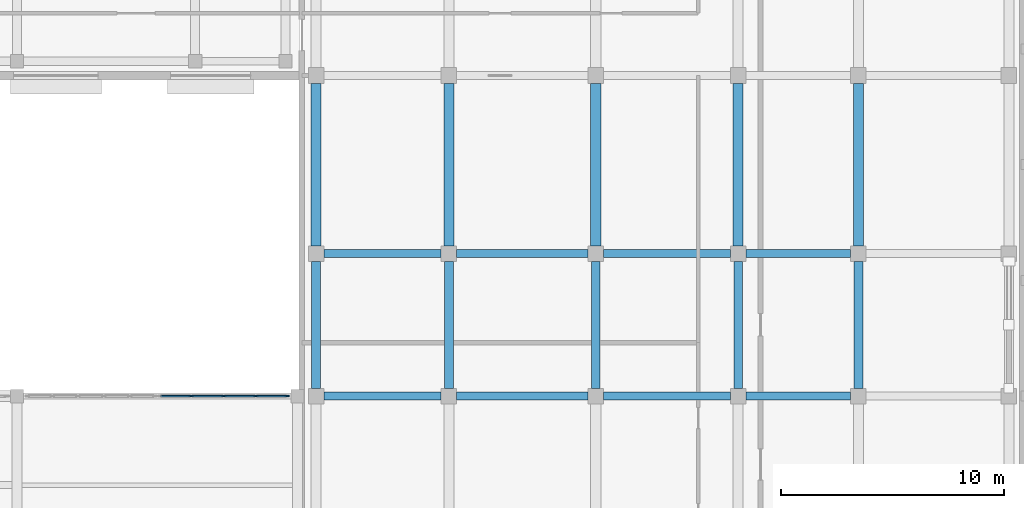
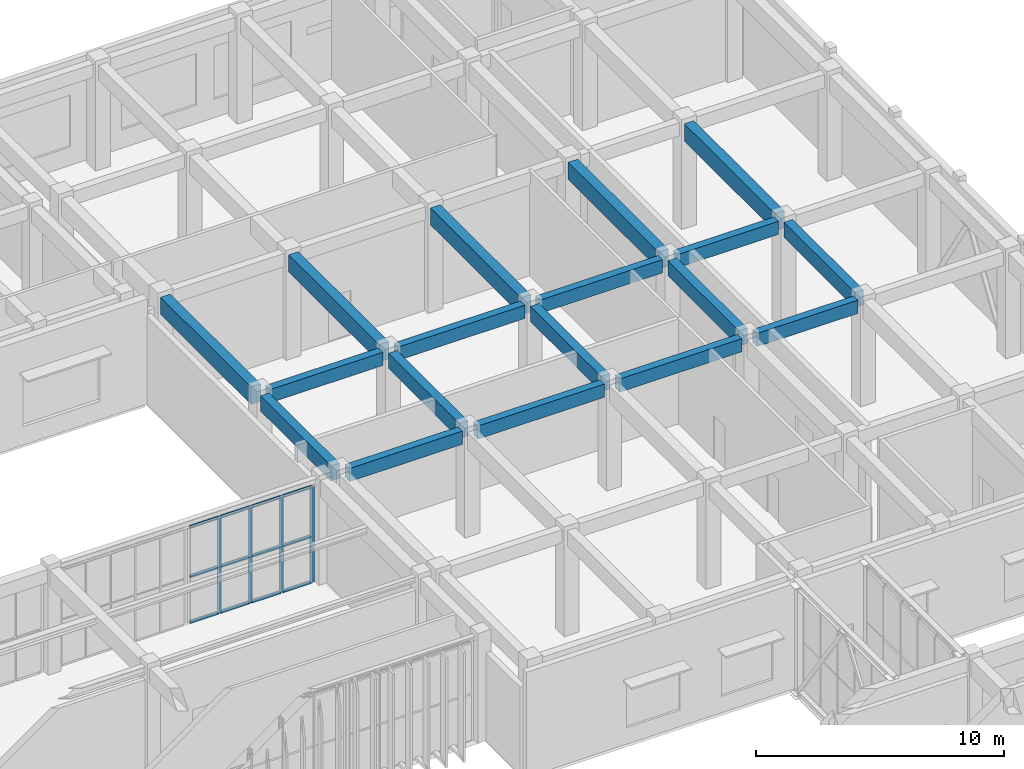
# One storey, part 26 of 64: 18 beams, 16 members, 1 element without a shape of its own.
"""IFC4 building model written with IfcOpenShell, lengths in metres."""

from ifc_helpers import new_model, si_unit, direction, frame, origin, origin_2d, place, context, subcontext, project, spatial, rectangle, extrude, material, layer, layer_set, material_profile, profile_set, type_object, element, aggregate, save


model = new_model("IFC4")

# Units and contexts
model_context = context("Model", 3, precision=1e-05, world=origin(), true_north=direction((0.0, 1.0)))
body_context = subcontext(model_context, "Body", "Model", "MODEL_VIEW")
ifc_project = project(units=[si_unit("LENGTHUNIT", "METRE"), si_unit("AREAUNIT", "SQUARE_METRE"), si_unit("VOLUMEUNIT", "CUBIC_METRE"), si_unit("PLANEANGLEUNIT", "RADIAN"), si_unit("MASSUNIT", "GRAM", prefix="KILO")], contexts=[model_context])

# Site, building, storey
site_placement = place(None, origin())
site = spatial("IfcSite", under=ifc_project, at=site_placement, CompositionType="ELEMENT")
building_placement = place(site_placement, origin())
building = spatial("IfcBuilding", under=site, at=building_placement, Name="Cinchona Park Media Centre", CompositionType="ELEMENT")
storey_placement = place(building_placement, frame((0.0, 0.0, 10.199951171875)))
storey = spatial("IfcBuildingStorey", under=building, at=storey_placement, Name="L02", CompositionType="ELEMENT", Elevation=10.199951171875)

# Beams
ifc_material_1 = material(Name="Concrete C35/45", Category="concrete")
ifc_material_profile_1 = material_profile(ifc_material_1, rectangle(XDim=0.39990234375, YDim=0.75, at=origin_2d()), Name="RB 400X750")
ifc_profile_set_1 = profile_set([ifc_material_profile_1], Name="Concrete C35/45")
beam_type_1 = type_object("IfcBeamType", Name="BEAM-B01-RB400X750", PredefinedType="BEAM", material=ifc_profile_set_1)
for number, where, z_axis, x_axis, name in (
    (1, (140.239990234375, 87.949951171875, 4.78515625), (0.0, 1.0, 0.0), (-1.0, 0.0, 0.0), "Girder B01 L02"),
    (2, (146.199951171875, 87.949951171875, 4.78515625), (0.0, 1.0, 0.0), (-1.0, 0.0, 0.0), "Girder B01 L02"),
    (3, (152.800048828125, 87.949951171875, 4.78515625), (0.0, 1.0, 0.0), (-1.0, 0.0, 0.0), "Girder B01 L02"),
    (4, (159.199951171875, 87.949951171875, 4.78515625), (0.0, 1.0, 0.0), (-1.0, 0.0, 0.0), "Girder B01 L02"),
    (5, (164.60009765625, 87.949951171875, 4.78515625), (0.0, 1.0, 0.0), (-1.0, 0.0, 0.0), "Girder B01 L02"),
):
    element("IfcBeam", number, at=place(storey_placement, frame(where, z_axis=z_axis, x_axis=x_axis)), inside=storey, type_object=beam_type_1, Name=name, PredefinedType="BEAM", context=body_context, shape_type="SweptSolid", body=[
        extrude(rectangle(XDim=0.39990234375, YDim=0.75, at=origin_2d()), origin(), (0.0, 0.0, 1.0), 5.699951171875),
    ])
ifc_material_2 = material(Name="Concrete C35/45", Category="concrete")
ifc_material_profile_2 = material_profile(ifc_material_2, rectangle(XDim=0.449951171875, YDim=0.85009765625, at=origin_2d()), Name="RB 450X850")
ifc_profile_set_2 = profile_set([ifc_material_profile_2], Name="Concrete C35/45")
beam_type_2 = type_object("IfcBeamType", Name="BEAM-B02-RB450X850", PredefinedType="BEAM", material=ifc_profile_set_2)
for number, where, z_axis, x_axis, name in (
    (6, (140.239990234375, 94.35009765625, 4.735107421875), (0.0, 1.0, 0.0), (-1.0, 0.0, 0.0), "Girder B02 L02"),
    (7, (146.199951171875, 94.35009765625, 4.735107421875), (0.0, 1.0, 0.0), (-1.0, 0.0, 0.0), "Girder B02 L02"),
    (8, (152.800048828125, 94.35009765625, 4.735107421875), (0.0, 1.0, 0.0), (-1.0, 0.0, 0.0), "Girder B02 L02"),
    (9, (159.199951171875, 94.35009765625, 4.735107421875), (0.0, 1.0, 0.0), (-1.0, 0.0, 0.0), "Girder B02 L02"),
    (10, (164.60009765625, 94.35009765625, 4.735107421875), (0.0, 1.0, 0.0), (-1.0, 0.0, 0.0), "Girder B02 L02"),
):
    element("IfcBeam", number, at=place(storey_placement, frame(where, z_axis=z_axis, x_axis=x_axis)), inside=storey, type_object=beam_type_2, Name=name, PredefinedType="BEAM", context=body_context, shape_type="SweptSolid", body=[
        extrude(rectangle(XDim=0.449951171875, YDim=0.85009765625, at=origin_2d()), origin(), (0.0, 0.0, 1.0), 7.2998046875),
    ])
ifc_material_3 = material(Name="Concrete C35/45", Category="concrete")
ifc_material_profile_3 = material_profile(ifc_material_3, rectangle(XDim=0.35009765625, YDim=0.64990234375, at=origin_2d()), Name="RB 350X650")
ifc_profile_set_3 = profile_set([ifc_material_profile_3], Name="Concrete C35/45")
beam_type_3 = type_object("IfcBeamType", Name="BEAM-B04-RB350X650", PredefinedType="BEAM", material=ifc_profile_set_3)
beam_1_placement = place(storey_placement, frame((140.590087890625, 87.60009765625, 4.8349609375), z_axis=(1.0, 0.0, 0.0), x_axis=(0.0, 1.0, 0.0)))
element("IfcBeam", 11, at=beam_1_placement, inside=storey, type_object=beam_type_3, Name="Beam B04 L02", PredefinedType="BEAM", context=body_context, shape_type="SweptSolid", body=[
    extrude(rectangle(XDim=0.35009765625, YDim=0.64990234375, at=origin_2d()), origin(), (0.0, 0.0, 1.0), 5.260009765625),
])
beam_2_placement = place(storey_placement, frame((146.550048828125, 87.60009765625, 4.8349609375), z_axis=(1.0, 0.0, 0.0), x_axis=(0.0, 1.0, 0.0)))
element("IfcBeam", 12, at=beam_2_placement, inside=storey, type_object=beam_type_3, Name="Beam B04 L02", PredefinedType="BEAM", context=body_context, shape_type="SweptSolid", body=[
    extrude(rectangle(XDim=0.35009765625, YDim=0.64990234375, at=origin_2d()), origin(), (0.0, 0.0, 1.0), 5.89990234375),
])
beam_3_placement = place(storey_placement, frame((153.14990234375, 87.60009765625, 4.8349609375), z_axis=(1.0, 0.0, 0.0), x_axis=(0.0, 1.0, 0.0)))
element("IfcBeam", 13, at=beam_3_placement, inside=storey, type_object=beam_type_3, Name="Beam B04 L02", PredefinedType="BEAM", context=body_context, shape_type="SweptSolid", body=[
    extrude(rectangle(XDim=0.35009765625, YDim=0.64990234375, at=origin_2d()), origin(), (0.0, 0.0, 1.0), 5.7001953125),
])
beam_4_placement = place(storey_placement, frame((159.550048828125, 87.60009765625, 4.8349609375), z_axis=(1.0, 0.0, 0.0), x_axis=(0.0, 1.0, 0.0)))
element("IfcBeam", 14, at=beam_4_placement, inside=storey, type_object=beam_type_3, Name="Beam B04 L02", PredefinedType="BEAM", context=body_context, shape_type="SweptSolid", body=[
    extrude(rectangle(XDim=0.35009765625, YDim=0.64990234375, at=origin_2d()), origin(), (0.0, 0.0, 1.0), 4.699951171875),
])
beam_5_placement = place(storey_placement, frame((140.590087890625, 94.0, 4.8349609375), z_axis=(1.0, 0.0, 0.0), x_axis=(0.0, 1.0, 0.0)))
element("IfcBeam", 15, at=beam_5_placement, inside=storey, type_object=beam_type_3, Name="Beam B04 L02", PredefinedType="BEAM", context=body_context, shape_type="SweptSolid", body=[
    extrude(rectangle(XDim=0.35009765625, YDim=0.64990234375, at=origin_2d()), origin(), (0.0, 0.0, 1.0), 5.260009765625),
])
beam_6_placement = place(storey_placement, frame((146.550048828125, 94.0, 4.8349609375), z_axis=(1.0, 0.0, 0.0), x_axis=(0.0, 1.0, 0.0)))
element("IfcBeam", 16, at=beam_6_placement, inside=storey, type_object=beam_type_3, Name="Beam B04 L02", PredefinedType="BEAM", context=body_context, shape_type="SweptSolid", body=[
    extrude(rectangle(XDim=0.35009765625, YDim=0.64990234375, at=origin_2d()), origin(), (0.0, 0.0, 1.0), 5.89990234375),
])
beam_7_placement = place(storey_placement, frame((153.14990234375, 94.0, 4.8349609375), z_axis=(1.0, 0.0, 0.0), x_axis=(0.0, 1.0, 0.0)))
element("IfcBeam", 17, at=beam_7_placement, inside=storey, type_object=beam_type_3, Name="Beam B04 L02", PredefinedType="BEAM", context=body_context, shape_type="SweptSolid", body=[
    extrude(rectangle(XDim=0.35009765625, YDim=0.64990234375, at=origin_2d()), origin(), (0.0, 0.0, 1.0), 5.7001953125),
])
beam_8_placement = place(storey_placement, frame((159.550048828125, 94.0, 4.8349609375), z_axis=(1.0, 0.0, 0.0), x_axis=(0.0, 1.0, 0.0)))
element("IfcBeam", 18, at=beam_8_placement, inside=storey, type_object=beam_type_3, Name="Beam B04 L02", PredefinedType="BEAM", context=body_context, shape_type="SweptSolid", body=[
    extrude(rectangle(XDim=0.35009765625, YDim=0.64990234375, at=origin_2d()), origin(), (0.0, 0.0, 1.0), 4.699951171875),
])

# Curtain wall, members
ifc_material_4 = material(Name="Aluminium Curtain Wall Framing", Category="aluminium")
ifc_layer = layer(ifc_material_4, 0.2099609375)
ifc_layer_set = layer_set([ifc_layer], Name="Aluminium Curtain Wall Framing")
curtain_wall_type = type_object("IfcCurtainWallType", Name="CW-CW03", PredefinedType="USERDEFINED", material=ifc_layer_set)
curtain_wall_placement = place(storey_placement, origin())
curtain_wall = element("IfcCurtainWall", 19, at=curtain_wall_placement, inside=storey, type_object=curtain_wall_type, Name="Curtain Wall CW03 L02", ObjectType="UNITISED CURTAIN WALL", PredefinedType="USERDEFINED")
ifc_material_5 = material(Name="Anodised Aluminium Alloy 6063-T6", Category="aluminium")
ifc_material_profile_4 = material_profile(ifc_material_5, rectangle(XDim=0.070068359375, YDim=0.179931640625, at=origin_2d()), Name="MUL-70X180")
ifc_profile_set_4 = profile_set([ifc_material_profile_4], Name="Anodised Aluminium Alloy 6063-T6")
member_type_1 = type_object("IfcMemberType", Name="MULLION-MUL02", PredefinedType="MULLION", material=ifc_profile_set_4)
member_1_placement = place(storey_placement, frame((134.6298828125, 87.60009765625, 0.050048828125), z_axis=(0.0, 0.0, 1.0), x_axis=(0.0, 1.0, 0.0)))
member_1 = element("IfcMember", 20, at=member_1_placement, type_object=member_type_1, Name="CW03 mullion 2", PredefinedType="MULLION", context=body_context, shape_type="SweptSolid", body=[
    extrude(rectangle(XDim=0.070068359375, YDim=0.179931640625, at=origin_2d()), origin(), (0.0, 0.0, 1.0), 4.7470703125),
])
member_2_placement = place(storey_placement, frame((136.080078125, 87.60009765625, 0.050048828125), z_axis=(0.0, 0.0, 1.0), x_axis=(0.0, 1.0, 0.0)))
member_2 = element("IfcMember", 21, at=member_2_placement, type_object=member_type_1, Name="CW03 mullion 3", PredefinedType="MULLION", context=body_context, shape_type="SweptSolid", body=[
    extrude(rectangle(XDim=0.070068359375, YDim=0.179931640625, at=origin_2d()), origin(), (0.0, 0.0, 1.0), 4.7470703125),
])
member_3_placement = place(storey_placement, frame((137.530029296875, 87.60009765625, 0.050048828125), z_axis=(0.0, 0.0, 1.0), x_axis=(0.0, 1.0, 0.0)))
member_3 = element("IfcMember", 22, at=member_3_placement, type_object=member_type_1, Name="CW03 mullion 4", PredefinedType="MULLION", context=body_context, shape_type="SweptSolid", body=[
    extrude(rectangle(XDim=0.070068359375, YDim=0.179931640625, at=origin_2d()), origin(), (0.0, 0.0, 1.0), 4.7470703125),
])
member_4_placement = place(storey_placement, frame((138.945068359375, 87.60009765625, 0.050048828125), z_axis=(0.0, 0.0, 1.0), x_axis=(0.0, 1.0, 0.0)))
member_4 = element("IfcMember", 23, at=member_4_placement, type_object=member_type_1, Name="CW03 mullion 5", PredefinedType="MULLION", context=body_context, shape_type="SweptSolid", body=[
    extrude(rectangle(XDim=0.070068359375, YDim=0.179931640625, at=origin_2d()), origin(), (0.0, 0.0, 1.0), 4.7470703125),
])
ifc_material_6 = material(Name="Anodised Aluminium Alloy 6063-T6", Category="aluminium")
ifc_material_profile_5 = material_profile(ifc_material_6, rectangle(XDim=0.070068359375, YDim=0.139892578125, at=origin_2d()), Name="TRN-70X140")
ifc_profile_set_5 = profile_set([ifc_material_profile_5], Name="Anodised Aluminium Alloy 6063-T6")
member_type_2 = type_object("IfcMemberType", Name="TRANSOM-TRN02", PredefinedType="USERDEFINED", material=ifc_profile_set_5)
member_5_placement = place(storey_placement, frame((133.25, 87.60009765625, 0.0849609375), z_axis=(1.0, 0.0, 0.0), x_axis=(0.0, 1.0, 0.0)))
member_5 = element("IfcMember", 24, at=member_5_placement, type_object=member_type_2, Name="CW03 transom 1.1", ObjectType="TRANSOM", PredefinedType="USERDEFINED", context=body_context, shape_type="SweptSolid", body=[
    extrude(rectangle(XDim=0.070068359375, YDim=0.139892578125, at=origin_2d()), origin(), (0.0, 0.0, 1.0), 1.344970703125),
])
member_6_placement = place(storey_placement, frame((133.25, 87.60009765625, 2.3291015625), z_axis=(1.0, 0.0, 0.0), x_axis=(0.0, 1.0, 0.0)))
member_6 = element("IfcMember", 25, at=member_6_placement, type_object=member_type_2, Name="CW03 transom 1.2", ObjectType="TRANSOM", PredefinedType="USERDEFINED", context=body_context, shape_type="SweptSolid", body=[
    extrude(rectangle(XDim=0.070068359375, YDim=0.139892578125, at=origin_2d()), origin(), (0.0, 0.0, 1.0), 1.344970703125),
])
member_7_placement = place(storey_placement, frame((133.25, 87.60009765625, 4.761962890625), z_axis=(1.0, 0.0, 0.0), x_axis=(0.0, 1.0, 0.0)))
member_7 = element("IfcMember", 26, at=member_7_placement, type_object=member_type_2, Name="CW03 transom 1.3", ObjectType="TRANSOM", PredefinedType="USERDEFINED", context=body_context, shape_type="SweptSolid", body=[
    extrude(rectangle(XDim=0.070068359375, YDim=0.139892578125, at=origin_2d()), origin(), (0.0, 0.0, 1.0), 1.344970703125),
])
member_8_placement = place(storey_placement, frame((134.6650390625, 87.60009765625, 0.0849609375), z_axis=(1.0, 0.0, 0.0), x_axis=(0.0, 1.0, 0.0)))
member_8 = element("IfcMember", 27, at=member_8_placement, type_object=member_type_2, Name="CW03 transom 2.1", ObjectType="TRANSOM", PredefinedType="USERDEFINED", context=body_context, shape_type="SweptSolid", body=[
    extrude(rectangle(XDim=0.070068359375, YDim=0.139892578125, at=origin_2d()), origin(), (0.0, 0.0, 1.0), 1.3798828125),
])
member_9_placement = place(storey_placement, frame((134.6650390625, 87.60009765625, 2.3291015625), z_axis=(1.0, 0.0, 0.0), x_axis=(0.0, 1.0, 0.0)))
member_9 = element("IfcMember", 28, at=member_9_placement, type_object=member_type_2, Name="CW03 transom 2.2", ObjectType="TRANSOM", PredefinedType="USERDEFINED", context=body_context, shape_type="SweptSolid", body=[
    extrude(rectangle(XDim=0.070068359375, YDim=0.139892578125, at=origin_2d()), origin(), (0.0, 0.0, 1.0), 1.3798828125),
])
member_10_placement = place(storey_placement, frame((134.6650390625, 87.60009765625, 4.761962890625), z_axis=(1.0, 0.0, 0.0), x_axis=(0.0, 1.0, 0.0)))
member_10 = element("IfcMember", 29, at=member_10_placement, type_object=member_type_2, Name="CW03 transom 2.3", ObjectType="TRANSOM", PredefinedType="USERDEFINED", context=body_context, shape_type="SweptSolid", body=[
    extrude(rectangle(XDim=0.070068359375, YDim=0.139892578125, at=origin_2d()), origin(), (0.0, 0.0, 1.0), 1.3798828125),
])
member_11_placement = place(storey_placement, frame((136.114990234375, 87.60009765625, 0.0849609375), z_axis=(1.0, 0.0, 0.0), x_axis=(0.0, 1.0, 0.0)))
member_11 = element("IfcMember", 30, at=member_11_placement, type_object=member_type_2, Name="CW03 transom 3.1", ObjectType="TRANSOM", PredefinedType="USERDEFINED", context=body_context, shape_type="SweptSolid", body=[
    extrude(rectangle(XDim=0.070068359375, YDim=0.139892578125, at=origin_2d()), origin(), (0.0, 0.0, 1.0), 1.380126953125),
])
member_12_placement = place(storey_placement, frame((136.114990234375, 87.60009765625, 2.3291015625), z_axis=(1.0, 0.0, 0.0), x_axis=(0.0, 1.0, 0.0)))
member_12 = element("IfcMember", 31, at=member_12_placement, type_object=member_type_2, Name="CW03 transom 3.2", ObjectType="TRANSOM", PredefinedType="USERDEFINED", context=body_context, shape_type="SweptSolid", body=[
    extrude(rectangle(XDim=0.070068359375, YDim=0.139892578125, at=origin_2d()), origin(), (0.0, 0.0, 1.0), 1.380126953125),
])
member_13_placement = place(storey_placement, frame((136.114990234375, 87.60009765625, 4.761962890625), z_axis=(1.0, 0.0, 0.0), x_axis=(0.0, 1.0, 0.0)))
member_13 = element("IfcMember", 32, at=member_13_placement, type_object=member_type_2, Name="CW03 transom 3.3", ObjectType="TRANSOM", PredefinedType="USERDEFINED", context=body_context, shape_type="SweptSolid", body=[
    extrude(rectangle(XDim=0.070068359375, YDim=0.139892578125, at=origin_2d()), origin(), (0.0, 0.0, 1.0), 1.380126953125),
])
member_14_placement = place(storey_placement, frame((137.56494140625, 87.60009765625, 0.0849609375), z_axis=(1.0, 0.0, 0.0), x_axis=(0.0, 1.0, 0.0)))
member_14 = element("IfcMember", 33, at=member_14_placement, type_object=member_type_2, Name="CW03 transom 4.1", ObjectType="TRANSOM", PredefinedType="USERDEFINED", context=body_context, shape_type="SweptSolid", body=[
    extrude(rectangle(XDim=0.070068359375, YDim=0.139892578125, at=origin_2d()), origin(), (0.0, 0.0, 1.0), 1.344970703125),
])
member_15_placement = place(storey_placement, frame((137.56494140625, 87.60009765625, 2.3291015625), z_axis=(1.0, 0.0, 0.0), x_axis=(0.0, 1.0, 0.0)))
member_15 = element("IfcMember", 34, at=member_15_placement, type_object=member_type_2, Name="CW03 transom 4.2", ObjectType="TRANSOM", PredefinedType="USERDEFINED", context=body_context, shape_type="SweptSolid", body=[
    extrude(rectangle(XDim=0.070068359375, YDim=0.139892578125, at=origin_2d()), origin(), (0.0, 0.0, 1.0), 1.344970703125),
])
member_16_placement = place(storey_placement, frame((137.56494140625, 87.60009765625, 4.761962890625), z_axis=(1.0, 0.0, 0.0), x_axis=(0.0, 1.0, 0.0)))
member_16 = element("IfcMember", 35, at=member_16_placement, type_object=member_type_2, Name="CW03 transom 4.3", ObjectType="TRANSOM", PredefinedType="USERDEFINED", context=body_context, shape_type="SweptSolid", body=[
    extrude(rectangle(XDim=0.070068359375, YDim=0.139892578125, at=origin_2d()), origin(), (0.0, 0.0, 1.0), 1.344970703125),
])
aggregate(curtain_wall, [member_1, member_2, member_3, member_4, member_5, member_6, member_7, member_8, member_9, member_10, member_11, member_12, member_13, member_14, member_15, member_16])

save(model, "model.ifc")
